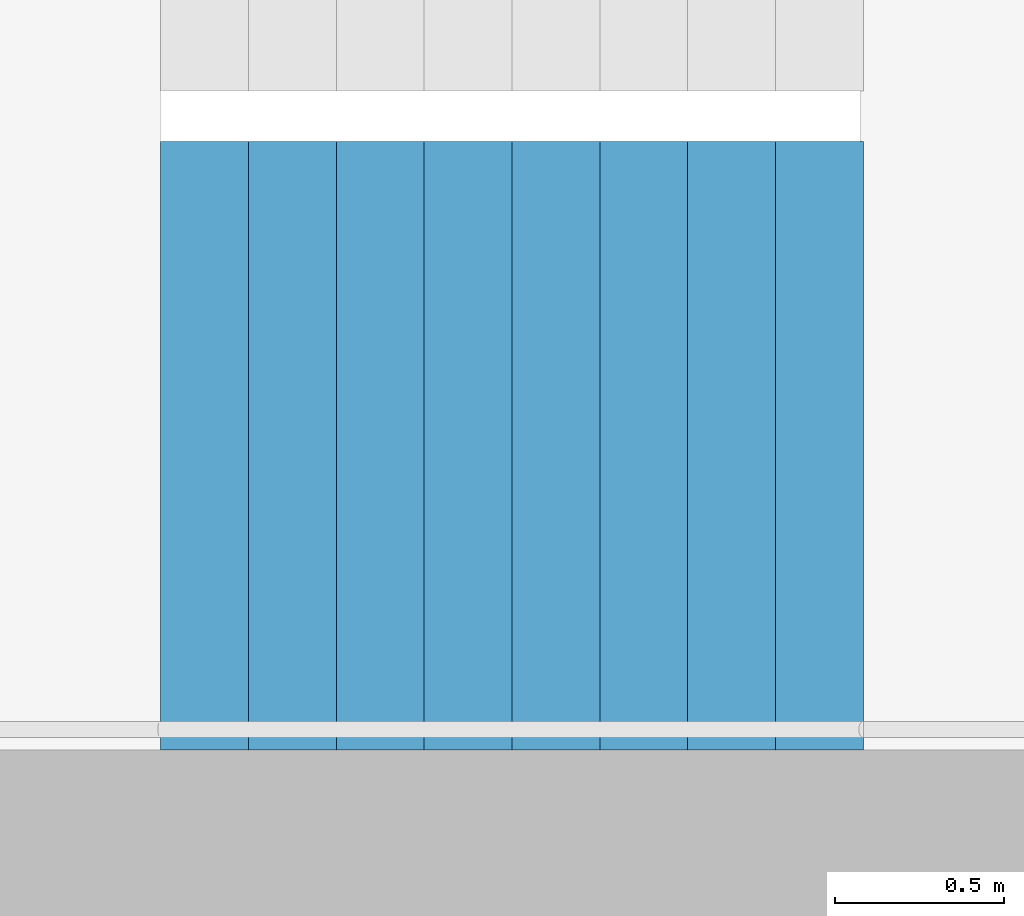
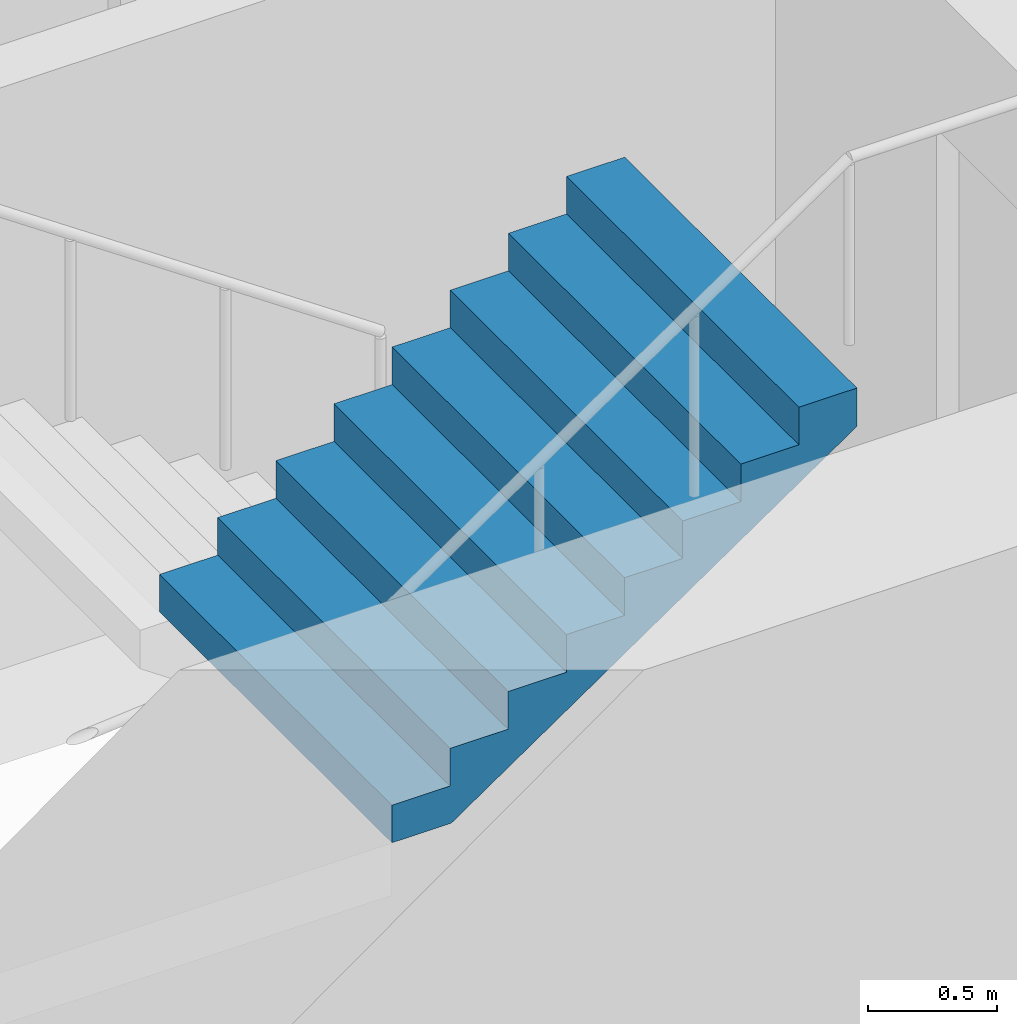
# One storey, part 17 of 25: 1 stair flight, 1 element without a shape of its own.
"""IFC4 building model written with IfcOpenShell, lengths in metres."""

from ifc_helpers import new_model, si_unit, direction, frame, origin, place, context, subcontext, project, spatial, triangles, material, type_object, element, aggregate, save


model = new_model("IFC4")

# Units and contexts
model_context = context("Model", 3, precision=1e-05, world=origin(), true_north=direction((0.0, 1.0)))
body_context = subcontext(model_context, "Body", "Model", "MODEL_VIEW")
ifc_project = project(units=[si_unit("LENGTHUNIT", "METRE"), si_unit("AREAUNIT", "SQUARE_METRE"), si_unit("VOLUMEUNIT", "CUBIC_METRE"), si_unit("PLANEANGLEUNIT", "RADIAN"), si_unit("MASSUNIT", "GRAM", prefix="KILO")], contexts=[model_context])

# Site, building, storey
site_placement = place(None, origin())
site = spatial("IfcSite", under=ifc_project, at=site_placement, CompositionType="ELEMENT")
building_placement = place(site_placement, origin())
building = spatial("IfcBuilding", under=site, at=building_placement, Name="Hakoniwa Tower and Hamabe Station Hall", CompositionType="ELEMENT")
storey_placement = place(building_placement, frame((0.0, 0.0, 186.60009765625)))
storey = spatial("IfcBuildingStorey", under=building, at=storey_placement, Name="L52", CompositionType="ELEMENT", Elevation=186.60009765625)

# Stair, stair flight
ifc_material_1 = material(Name="Concrete C40", Category="concrete")
stair_type = type_object("IfcStairType", Name="ESCAPE STAIR 1800", PredefinedType="HALF_TURN_STAIR", material=ifc_material_1)
stair_placement = place(storey_placement, origin())
stair = element("IfcStair", 1, at=stair_placement, inside=storey, type_object=stair_type, Name="Escape stair ST-2 L52", PredefinedType="HALF_TURN_STAIR")
ifc_material_2 = material(Name="Concrete C40", Category="concrete")
stair_flight_type = type_object("IfcStairFlightType", Name="STAIR FLIGHT 1800", PredefinedType="STRAIGHT", material=ifc_material_2)
stair_flight_placement = place(storey_placement, frame((-25.47998046875, -6.60009765625, 1.599853515625), z_axis=(0.0, 0.0, 1.0), x_axis=(1.0, 0.0, 0.0)))
stair_flight = element("IfcStairFlight", 2, at=stair_flight_placement, type_object=stair_flight_type, Name="ST-2 flight 2", NumberOfRisers=9, NumberOfTreads=8, PredefinedType="STRAIGHT", RiserHeight=0.177777778, TreadLength=0.26, context=body_context, shape_type="Tessellation", body=[
    triangles([(0.0, 0.89990234375, 0.0), (0.260009765625, 0.89990234375, 0.0), (0.265625, 0.89990234375, 0.0), (0.52001953125, 0.89990234375, 0.174072265625), (0.780029296875, 0.89990234375, 0.351806640625), (1.0400390625, 0.89990234375, 0.529541015625), (1.300048828125, 0.89990234375, 0.707275390625), (1.56005859375, 0.89990234375, 0.885009765625), (1.820068359375, 0.89990234375, 1.062744140625), (2.080078125, 0.89990234375, 1.24072265625), (2.080078125, 0.89990234375, 1.422119140625), (1.820068359375, 0.89990234375, 1.422119140625), (1.820068359375, 0.89990234375, 1.244384765625), (1.56005859375, 0.89990234375, 1.244384765625), (1.56005859375, 0.89990234375, 1.066650390625), (1.300048828125, 0.89990234375, 1.066650390625), (1.300048828125, 0.89990234375, 0.888916015625), (1.0400390625, 0.89990234375, 0.888916015625), (1.0400390625, 0.89990234375, 0.711181640625), (0.780029296875, 0.89990234375, 0.711181640625), (0.780029296875, 0.89990234375, 0.533447265625), (0.52001953125, 0.89990234375, 0.533447265625), (0.52001953125, 0.89990234375, 0.35546875), (0.265625, 0.89990234375, 0.35546875), (0.260009765625, 0.89990234375, 0.35546875), (0.260009765625, 0.89990234375, 0.177734375), (0.0, 0.89990234375, 0.177734375), (0.0, 0.06005859375, 0.0), (0.260009765625, 0.06005859375, 0.0), (0.265625, 0.06005859375, 0.0), (0.52001953125, 0.06005859375, 0.174072265625), (0.780029296875, 0.06005859375, 0.351806640625), (1.0400390625, 0.06005859375, 0.529541015625), (1.300048828125, 0.06005859375, 0.707275390625), (1.56005859375, 0.06005859375, 0.885009765625), (1.820068359375, 0.06005859375, 1.062744140625), (2.080078125, 0.06005859375, 1.24072265625), (2.080078125, 0.06005859375, 1.422119140625), (1.820068359375, 0.06005859375, 1.422119140625), (1.820068359375, 0.06005859375, 1.244384765625), (1.56005859375, 0.06005859375, 1.244384765625), (1.56005859375, 0.06005859375, 1.066650390625), (1.300048828125, 0.06005859375, 1.066650390625), (1.300048828125, 0.06005859375, 0.888916015625), (1.0400390625, 0.06005859375, 0.888916015625), (1.0400390625, 0.06005859375, 0.711181640625), (0.780029296875, 0.06005859375, 0.711181640625), (0.780029296875, 0.06005859375, 0.533447265625), (0.52001953125, 0.06005859375, 0.533447265625), (0.52001953125, 0.06005859375, 0.35546875), (0.265625, 0.06005859375, 0.35546875), (0.260009765625, 0.06005859375, 0.35546875), (0.260009765625, 0.06005859375, 0.177734375), (0.0, 0.06005859375, 0.177734375), (0.0, 0.04296875, 0.0), (0.260009765625, 0.04296875, 0.0), (0.265625, 0.04296875, 0.0), (0.52001953125, 0.04296875, 0.174072265625), (0.780029296875, 0.04296875, 0.351806640625), (1.0400390625, 0.04296875, 0.529541015625), (1.300048828125, 0.04296875, 0.707275390625), (1.56005859375, 0.04296875, 0.885009765625), (1.820068359375, 0.04296875, 1.062744140625), (2.080078125, 0.04296875, 1.24072265625), (2.080078125, 0.04296875, 1.422119140625), (1.820068359375, 0.04296875, 1.422119140625), (1.820068359375, 0.04296875, 1.244384765625), (1.56005859375, 0.04296875, 1.244384765625), (1.56005859375, 0.04296875, 1.066650390625), (1.300048828125, 0.04296875, 1.066650390625), (1.300048828125, 0.04296875, 0.888916015625), (1.0400390625, 0.04296875, 0.888916015625), (1.0400390625, 0.04296875, 0.711181640625), (0.780029296875, 0.04296875, 0.711181640625), (0.780029296875, 0.04296875, 0.533447265625), (0.52001953125, 0.04296875, 0.533447265625), (0.52001953125, 0.04296875, 0.35546875), (0.265625, 0.04296875, 0.35546875), (0.260009765625, 0.04296875, 0.35546875), (0.260009765625, 0.04296875, 0.177734375), (0.0, 0.04296875, 0.177734375), (0.0, 0.025634765625, 0.0), (0.260009765625, 0.025634765625, 0.0), (0.265625, 0.025634765625, 0.0), (0.52001953125, 0.025634765625, 0.174072265625), (0.780029296875, 0.025634765625, 0.351806640625), (1.0400390625, 0.025634765625, 0.529541015625), (1.300048828125, 0.025634765625, 0.707275390625), (1.56005859375, 0.025634765625, 0.885009765625), (1.820068359375, 0.025634765625, 1.062744140625), (2.080078125, 0.025634765625, 1.24072265625), (2.080078125, 0.025634765625, 1.422119140625), (1.820068359375, 0.025634765625, 1.422119140625), (1.820068359375, 0.025634765625, 1.244384765625), (1.56005859375, 0.025634765625, 1.244384765625), (1.56005859375, 0.025634765625, 1.066650390625), (1.300048828125, 0.025634765625, 1.066650390625), (1.300048828125, 0.025634765625, 0.888916015625), (1.0400390625, 0.025634765625, 0.888916015625), (1.0400390625, 0.025634765625, 0.711181640625), (0.780029296875, 0.025634765625, 0.711181640625), (0.780029296875, 0.025634765625, 0.533447265625), (0.52001953125, 0.025634765625, 0.533447265625), (0.52001953125, 0.025634765625, 0.35546875), (0.265625, 0.025634765625, 0.35546875), (0.260009765625, 0.025634765625, 0.35546875), (0.260009765625, 0.025634765625, 0.177734375), (0.0, 0.025634765625, 0.177734375), (0.0, 0.008544921875, 0.0), (0.260009765625, 0.008544921875, 0.0), (0.265625, 0.008544921875, 0.0), (0.52001953125, 0.008544921875, 0.174072265625), (0.780029296875, 0.008544921875, 0.351806640625), (1.0400390625, 0.008544921875, 0.529541015625), (1.300048828125, 0.008544921875, 0.707275390625), (1.56005859375, 0.008544921875, 0.885009765625), (1.820068359375, 0.008544921875, 1.062744140625), (2.080078125, 0.008544921875, 1.24072265625), (2.080078125, 0.008544921875, 1.422119140625), (1.820068359375, 0.008544921875, 1.422119140625), (1.820068359375, 0.008544921875, 1.244384765625), (1.56005859375, 0.008544921875, 1.244384765625), (1.56005859375, 0.008544921875, 1.066650390625), (1.300048828125, 0.008544921875, 1.066650390625), (1.300048828125, 0.008544921875, 0.888916015625), (1.0400390625, 0.008544921875, 0.888916015625), (1.0400390625, 0.008544921875, 0.711181640625), (0.780029296875, 0.008544921875, 0.711181640625), (0.780029296875, 0.008544921875, 0.533447265625), (0.52001953125, 0.008544921875, 0.533447265625), (0.52001953125, 0.008544921875, 0.35546875), (0.265625, 0.008544921875, 0.35546875), (0.260009765625, 0.008544921875, 0.35546875), (0.260009765625, 0.008544921875, 0.177734375), (0.0, 0.008544921875, 0.177734375), (0.0, -0.008544921875, 0.0), (0.260009765625, -0.008544921875, 0.0), (0.265625, -0.008544921875, 0.0), (0.52001953125, -0.008544921875, 0.174072265625), (0.780029296875, -0.008544921875, 0.351806640625), (1.0400390625, -0.008544921875, 0.529541015625), (1.300048828125, -0.008544921875, 0.707275390625), (1.56005859375, -0.008544921875, 0.885009765625), (1.820068359375, -0.008544921875, 1.062744140625), (2.080078125, -0.008544921875, 1.24072265625), (2.080078125, -0.008544921875, 1.422119140625), (1.820068359375, -0.008544921875, 1.422119140625), (1.820068359375, -0.008544921875, 1.244384765625), (1.56005859375, -0.008544921875, 1.244384765625), (1.56005859375, -0.008544921875, 1.066650390625), (1.300048828125, -0.008544921875, 1.066650390625), (1.300048828125, -0.008544921875, 0.888916015625), (1.0400390625, -0.008544921875, 0.888916015625), (1.0400390625, -0.008544921875, 0.711181640625), (0.780029296875, -0.008544921875, 0.711181640625), (0.780029296875, -0.008544921875, 0.533447265625), (0.52001953125, -0.008544921875, 0.533447265625), (0.52001953125, -0.008544921875, 0.35546875), (0.265625, -0.008544921875, 0.35546875), (0.260009765625, -0.008544921875, 0.35546875), (0.260009765625, -0.008544921875, 0.177734375), (0.0, -0.008544921875, 0.177734375), (0.0, -0.025634765625, 0.0), (0.260009765625, -0.025634765625, 0.0), (0.265625, -0.025634765625, 0.0), (0.52001953125, -0.025634765625, 0.174072265625), (0.780029296875, -0.025634765625, 0.351806640625), (1.0400390625, -0.025634765625, 0.529541015625), (1.300048828125, -0.025634765625, 0.707275390625), (1.56005859375, -0.025634765625, 0.885009765625), (1.820068359375, -0.025634765625, 1.062744140625), (2.080078125, -0.025634765625, 1.24072265625), (2.080078125, -0.025634765625, 1.422119140625), (1.820068359375, -0.025634765625, 1.422119140625), (1.820068359375, -0.025634765625, 1.244384765625), (1.56005859375, -0.025634765625, 1.244384765625), (1.56005859375, -0.025634765625, 1.066650390625), (1.300048828125, -0.025634765625, 1.066650390625), (1.300048828125, -0.025634765625, 0.888916015625), (1.0400390625, -0.025634765625, 0.888916015625), (1.0400390625, -0.025634765625, 0.711181640625), (0.780029296875, -0.025634765625, 0.711181640625), (0.780029296875, -0.025634765625, 0.533447265625), (0.52001953125, -0.025634765625, 0.533447265625), (0.52001953125, -0.025634765625, 0.35546875), (0.265625, -0.025634765625, 0.35546875), (0.260009765625, -0.025634765625, 0.35546875), (0.260009765625, -0.025634765625, 0.177734375), (0.0, -0.025634765625, 0.177734375), (0.0, -0.04296875, 0.0), (0.260009765625, -0.04296875, 0.0), (0.265625, -0.04296875, 0.0), (0.52001953125, -0.04296875, 0.174072265625), (0.780029296875, -0.04296875, 0.351806640625), (1.0400390625, -0.04296875, 0.529541015625), (1.300048828125, -0.04296875, 0.707275390625), (1.56005859375, -0.04296875, 0.885009765625), (1.820068359375, -0.04296875, 1.062744140625), (2.080078125, -0.04296875, 1.24072265625), (2.080078125, -0.04296875, 1.422119140625), (1.820068359375, -0.04296875, 1.422119140625), (1.820068359375, -0.04296875, 1.244384765625), (1.56005859375, -0.04296875, 1.244384765625), (1.56005859375, -0.04296875, 1.066650390625), (1.300048828125, -0.04296875, 1.066650390625), (1.300048828125, -0.04296875, 0.888916015625), (1.0400390625, -0.04296875, 0.888916015625), (1.0400390625, -0.04296875, 0.711181640625), (0.780029296875, -0.04296875, 0.711181640625), (0.780029296875, -0.04296875, 0.533447265625), (0.52001953125, -0.04296875, 0.533447265625), (0.52001953125, -0.04296875, 0.35546875), (0.265625, -0.04296875, 0.35546875), (0.260009765625, -0.04296875, 0.35546875), (0.260009765625, -0.04296875, 0.177734375), (0.0, -0.04296875, 0.177734375), (0.0, -0.06005859375, 0.0), (0.260009765625, -0.06005859375, 0.0), (0.265625, -0.06005859375, 0.0), (0.52001953125, -0.06005859375, 0.174072265625), (0.780029296875, -0.06005859375, 0.351806640625), (1.0400390625, -0.06005859375, 0.529541015625), (1.300048828125, -0.06005859375, 0.707275390625), (1.56005859375, -0.06005859375, 0.885009765625), (1.820068359375, -0.06005859375, 1.062744140625), (2.080078125, -0.06005859375, 1.24072265625), (2.080078125, -0.06005859375, 1.422119140625), (1.820068359375, -0.06005859375, 1.422119140625), (1.820068359375, -0.06005859375, 1.244384765625), (1.56005859375, -0.06005859375, 1.244384765625), (1.56005859375, -0.06005859375, 1.066650390625), (1.300048828125, -0.06005859375, 1.066650390625), (1.300048828125, -0.06005859375, 0.888916015625), (1.0400390625, -0.06005859375, 0.888916015625), (1.0400390625, -0.06005859375, 0.711181640625), (0.780029296875, -0.06005859375, 0.711181640625), (0.780029296875, -0.06005859375, 0.533447265625), (0.52001953125, -0.06005859375, 0.533447265625), (0.52001953125, -0.06005859375, 0.35546875), (0.265625, -0.06005859375, 0.35546875), (0.260009765625, -0.06005859375, 0.35546875), (0.260009765625, -0.06005859375, 0.177734375), (0.0, -0.06005859375, 0.177734375), (0.0, -0.89990234375, 0.0), (0.260009765625, -0.89990234375, 0.0), (0.265625, -0.89990234375, 0.0), (0.52001953125, -0.89990234375, 0.174072265625), (0.780029296875, -0.89990234375, 0.351806640625), (1.0400390625, -0.89990234375, 0.529541015625), (1.300048828125, -0.89990234375, 0.707275390625), (1.56005859375, -0.89990234375, 0.885009765625), (1.820068359375, -0.89990234375, 1.062744140625), (2.080078125, -0.89990234375, 1.24072265625), (2.080078125, -0.89990234375, 1.422119140625), (1.820068359375, -0.89990234375, 1.422119140625), (1.820068359375, -0.89990234375, 1.244384765625), (1.56005859375, -0.89990234375, 1.244384765625), (1.56005859375, -0.89990234375, 1.066650390625), (1.300048828125, -0.89990234375, 1.066650390625), (1.300048828125, -0.89990234375, 0.888916015625), (1.0400390625, -0.89990234375, 0.888916015625), (1.0400390625, -0.89990234375, 0.711181640625), (0.780029296875, -0.89990234375, 0.711181640625), (0.780029296875, -0.89990234375, 0.533447265625), (0.52001953125, -0.89990234375, 0.533447265625), (0.52001953125, -0.89990234375, 0.35546875), (0.265625, -0.89990234375, 0.35546875), (0.260009765625, -0.89990234375, 0.35546875), (0.260009765625, -0.89990234375, 0.177734375), (0.0, -0.89990234375, 0.177734375)], [[2, 27, 26], [245, 269, 270], [2, 1, 27], [245, 270, 244], [3, 25, 24], [246, 267, 268], [3, 26, 25], [246, 268, 269], [3, 2, 26], [246, 269, 245], [4, 24, 23], [247, 266, 267], [4, 3, 24], [247, 267, 246], [5, 22, 21], [248, 264, 265], [5, 23, 22], [248, 265, 266], [5, 4, 23], [248, 266, 247], [6, 20, 19], [249, 262, 263], [6, 21, 20], [249, 263, 264], [6, 5, 21], [249, 264, 248], [7, 18, 17], [250, 260, 261], [7, 19, 18], [250, 261, 262], [7, 6, 19], [250, 262, 249], [8, 16, 15], [251, 258, 259], [8, 17, 16], [251, 259, 260], [8, 7, 17], [251, 260, 250], [9, 14, 13], [252, 256, 257], [9, 15, 14], [252, 257, 258], [9, 8, 15], [252, 258, 251], [10, 12, 11], [253, 254, 255], [10, 13, 12], [253, 255, 256], [10, 9, 13], [253, 256, 252], [1, 2, 29], [1, 29, 28], [28, 29, 56], [28, 56, 55], [55, 56, 83], [55, 83, 82], [82, 83, 110], [82, 110, 109], [109, 110, 137], [109, 137, 136], [136, 137, 164], [136, 164, 163], [163, 164, 191], [163, 191, 190], [190, 191, 218], [190, 218, 217], [217, 218, 245], [217, 245, 244], [2, 3, 30], [2, 30, 29], [29, 30, 57], [29, 57, 56], [56, 57, 84], [56, 84, 83], [83, 84, 111], [83, 111, 110], [110, 111, 138], [110, 138, 137], [137, 138, 165], [137, 165, 164], [164, 165, 192], [164, 192, 191], [191, 192, 219], [191, 219, 218], [218, 219, 246], [218, 246, 245], [3, 4, 31], [3, 31, 30], [30, 31, 58], [30, 58, 57], [57, 58, 85], [57, 85, 84], [84, 85, 112], [84, 112, 111], [111, 112, 139], [111, 139, 138], [138, 139, 166], [138, 166, 165], [165, 166, 193], [165, 193, 192], [192, 193, 220], [192, 220, 219], [219, 220, 247], [219, 247, 246], [4, 5, 32], [4, 32, 31], [31, 32, 59], [31, 59, 58], [58, 59, 86], [58, 86, 85], [85, 86, 113], [85, 113, 112], [112, 113, 140], [112, 140, 139], [139, 140, 167], [139, 167, 166], [166, 167, 194], [166, 194, 193], [193, 194, 221], [193, 221, 220], [220, 221, 248], [220, 248, 247], [5, 6, 33], [5, 33, 32], [32, 33, 60], [32, 60, 59], [59, 60, 87], [59, 87, 86], [86, 87, 114], [86, 114, 113], [113, 114, 141], [113, 141, 140], [140, 141, 168], [140, 168, 167], [167, 168, 195], [167, 195, 194], [194, 195, 222], [194, 222, 221], [221, 222, 249], [221, 249, 248], [6, 7, 34], [6, 34, 33], [33, 34, 61], [33, 61, 60], [60, 61, 88], [60, 88, 87], [87, 88, 115], [87, 115, 114], [114, 115, 142], [114, 142, 141], [141, 142, 169], [141, 169, 168], [168, 169, 196], [168, 196, 195], [195, 196, 223], [195, 223, 222], [222, 223, 250], [222, 250, 249], [7, 8, 35], [7, 35, 34], [34, 35, 62], [34, 62, 61], [61, 62, 89], [61, 89, 88], [88, 89, 116], [88, 116, 115], [115, 116, 143], [115, 143, 142], [142, 143, 170], [142, 170, 169], [169, 170, 197], [169, 197, 196], [196, 197, 224], [196, 224, 223], [223, 224, 251], [223, 251, 250], [8, 9, 36], [8, 36, 35], [35, 36, 63], [35, 63, 62], [62, 63, 90], [62, 90, 89], [89, 90, 117], [89, 117, 116], [116, 117, 144], [116, 144, 143], [143, 144, 171], [143, 171, 170], [170, 171, 198], [170, 198, 197], [197, 198, 225], [197, 225, 224], [224, 225, 252], [224, 252, 251], [9, 10, 37], [9, 37, 36], [36, 37, 64], [36, 64, 63], [63, 64, 91], [63, 91, 90], [90, 91, 118], [90, 118, 117], [117, 118, 145], [117, 145, 144], [144, 145, 172], [144, 172, 171], [171, 172, 199], [171, 199, 198], [198, 199, 226], [198, 226, 225], [225, 226, 253], [225, 253, 252], [10, 11, 38], [10, 38, 37], [37, 38, 65], [37, 65, 64], [64, 65, 92], [64, 92, 91], [91, 92, 119], [91, 119, 118], [118, 119, 146], [118, 146, 145], [145, 146, 173], [145, 173, 172], [172, 173, 200], [172, 200, 199], [199, 200, 227], [199, 227, 226], [226, 227, 254], [226, 254, 253], [11, 12, 39], [11, 39, 38], [38, 39, 66], [38, 66, 65], [65, 66, 93], [65, 93, 92], [92, 93, 120], [92, 120, 119], [119, 120, 147], [119, 147, 146], [146, 147, 174], [146, 174, 173], [173, 174, 201], [173, 201, 200], [200, 201, 228], [200, 228, 227], [227, 228, 255], [227, 255, 254], [12, 13, 40], [12, 40, 39], [39, 40, 67], [39, 67, 66], [66, 67, 94], [66, 94, 93], [93, 94, 121], [93, 121, 120], [120, 121, 148], [120, 148, 147], [147, 148, 175], [147, 175, 174], [174, 175, 202], [174, 202, 201], [201, 202, 229], [201, 229, 228], [228, 229, 256], [228, 256, 255], [13, 14, 41], [13, 41, 40], [40, 41, 68], [40, 68, 67], [67, 68, 95], [67, 95, 94], [94, 95, 122], [94, 122, 121], [121, 122, 149], [121, 149, 148], [148, 149, 176], [148, 176, 175], [175, 176, 203], [175, 203, 202], [202, 203, 230], [202, 230, 229], [229, 230, 257], [229, 257, 256], [14, 15, 42], [14, 42, 41], [41, 42, 69], [41, 69, 68], [68, 69, 96], [68, 96, 95], [95, 96, 123], [95, 123, 122], [122, 123, 150], [122, 150, 149], [149, 150, 177], [149, 177, 176], [176, 177, 204], [176, 204, 203], [203, 204, 231], [203, 231, 230], [230, 231, 258], [230, 258, 257], [15, 16, 43], [15, 43, 42], [42, 43, 70], [42, 70, 69], [69, 70, 97], [69, 97, 96], [96, 97, 124], [96, 124, 123], [123, 124, 151], [123, 151, 150], [150, 151, 178], [150, 178, 177], [177, 178, 205], [177, 205, 204], [204, 205, 232], [204, 232, 231], [231, 232, 259], [231, 259, 258], [16, 17, 44], [16, 44, 43], [43, 44, 71], [43, 71, 70], [70, 71, 98], [70, 98, 97], [97, 98, 125], [97, 125, 124], [124, 125, 152], [124, 152, 151], [151, 152, 179], [151, 179, 178], [178, 179, 206], [178, 206, 205], [205, 206, 233], [205, 233, 232], [232, 233, 260], [232, 260, 259], [17, 18, 45], [17, 45, 44], [44, 45, 72], [44, 72, 71], [71, 72, 99], [71, 99, 98], [98, 99, 126], [98, 126, 125], [125, 126, 153], [125, 153, 152], [152, 153, 180], [152, 180, 179], [179, 180, 207], [179, 207, 206], [206, 207, 234], [206, 234, 233], [233, 234, 261], [233, 261, 260], [18, 19, 46], [18, 46, 45], [45, 46, 73], [45, 73, 72], [72, 73, 100], [72, 100, 99], [99, 100, 127], [99, 127, 126], [126, 127, 154], [126, 154, 153], [153, 154, 181], [153, 181, 180], [180, 181, 208], [180, 208, 207], [207, 208, 235], [207, 235, 234], [234, 235, 262], [234, 262, 261], [19, 20, 47], [19, 47, 46], [46, 47, 74], [46, 74, 73], [73, 74, 101], [73, 101, 100], [100, 101, 128], [100, 128, 127], [127, 128, 155], [127, 155, 154], [154, 155, 182], [154, 182, 181], [181, 182, 209], [181, 209, 208], [208, 209, 236], [208, 236, 235], [235, 236, 263], [235, 263, 262], [20, 21, 48], [20, 48, 47], [47, 48, 75], [47, 75, 74], [74, 75, 102], [74, 102, 101], [101, 102, 129], [101, 129, 128], [128, 129, 156], [128, 156, 155], [155, 156, 183], [155, 183, 182], [182, 183, 210], [182, 210, 209], [209, 210, 237], [209, 237, 236], [236, 237, 264], [236, 264, 263], [21, 22, 49], [21, 49, 48], [48, 49, 76], [48, 76, 75], [75, 76, 103], [75, 103, 102], [102, 103, 130], [102, 130, 129], [129, 130, 157], [129, 157, 156], [156, 157, 184], [156, 184, 183], [183, 184, 211], [183, 211, 210], [210, 211, 238], [210, 238, 237], [237, 238, 265], [237, 265, 264], [22, 23, 50], [22, 50, 49], [49, 50, 77], [49, 77, 76], [76, 77, 104], [76, 104, 103], [103, 104, 131], [103, 131, 130], [130, 131, 158], [130, 158, 157], [157, 158, 185], [157, 185, 184], [184, 185, 212], [184, 212, 211], [211, 212, 239], [211, 239, 238], [238, 239, 266], [238, 266, 265], [23, 24, 51], [23, 51, 50], [50, 51, 78], [50, 78, 77], [77, 78, 105], [77, 105, 104], [104, 105, 132], [104, 132, 131], [131, 132, 159], [131, 159, 158], [158, 159, 186], [158, 186, 185], [185, 186, 213], [185, 213, 212], [212, 213, 240], [212, 240, 239], [239, 240, 267], [239, 267, 266], [24, 25, 52], [24, 52, 51], [51, 52, 79], [51, 79, 78], [78, 79, 106], [78, 106, 105], [105, 106, 133], [105, 133, 132], [132, 133, 160], [132, 160, 159], [159, 160, 187], [159, 187, 186], [186, 187, 214], [186, 214, 213], [213, 214, 241], [213, 241, 240], [240, 241, 268], [240, 268, 267], [25, 26, 53], [25, 53, 52], [52, 53, 80], [52, 80, 79], [79, 80, 107], [79, 107, 106], [106, 107, 134], [106, 134, 133], [133, 134, 161], [133, 161, 160], [160, 161, 188], [160, 188, 187], [187, 188, 215], [187, 215, 214], [214, 215, 242], [214, 242, 241], [241, 242, 269], [241, 269, 268], [26, 27, 54], [26, 54, 53], [53, 54, 81], [53, 81, 80], [80, 81, 108], [80, 108, 107], [107, 108, 135], [107, 135, 134], [134, 135, 162], [134, 162, 161], [161, 162, 189], [161, 189, 188], [188, 189, 216], [188, 216, 215], [215, 216, 243], [215, 243, 242], [242, 243, 270], [242, 270, 269], [27, 1, 28], [27, 28, 54], [54, 28, 55], [54, 55, 81], [81, 55, 82], [81, 82, 108], [108, 82, 109], [108, 109, 135], [135, 109, 136], [135, 136, 162], [162, 136, 163], [162, 163, 189], [189, 163, 190], [189, 190, 216], [216, 190, 217], [216, 217, 243], [243, 217, 244], [243, 244, 270]], closed=True),
])
aggregate(stair, [stair_flight])

save(model, "model.ifc")
